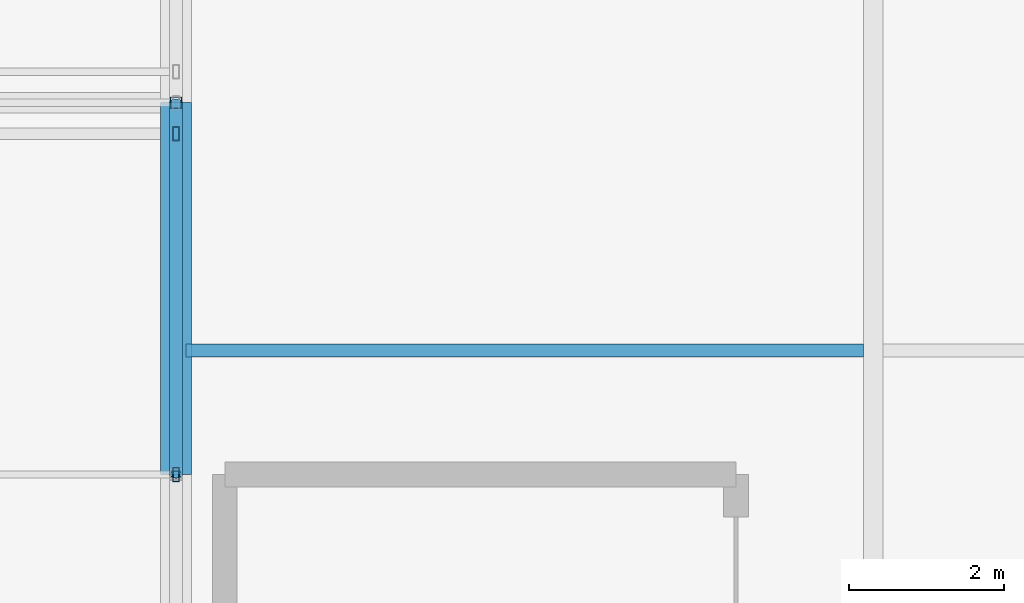
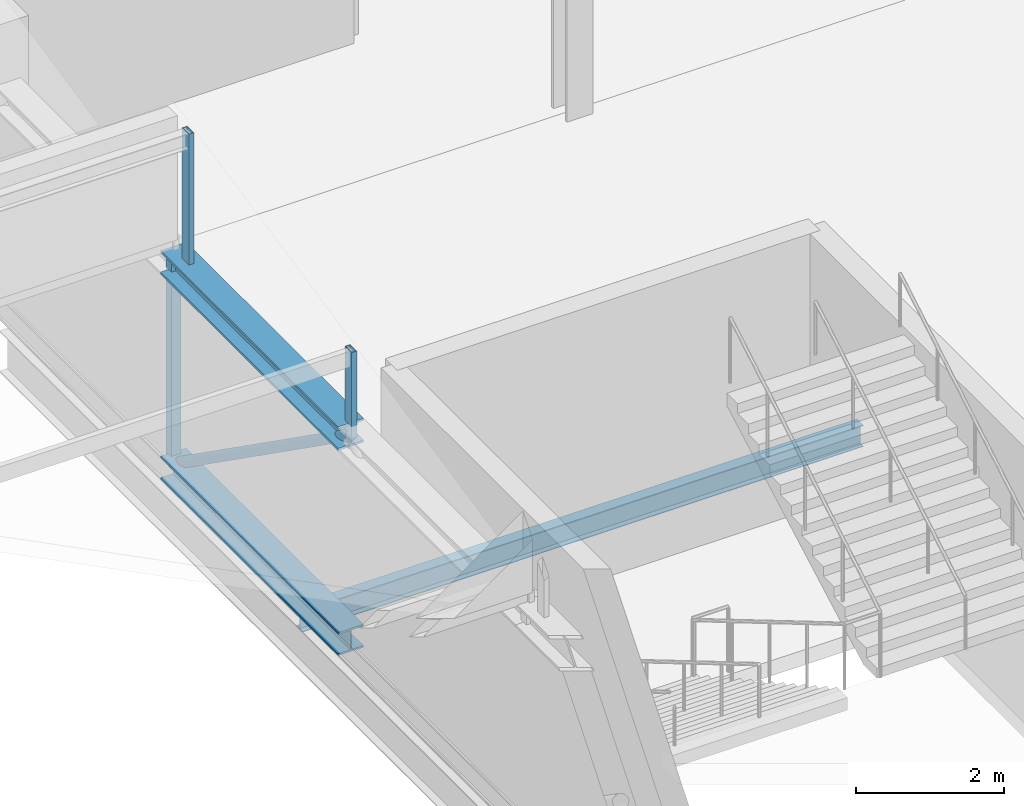
# One storey, part 67 of 136: 4 members, 3 beams.
"""IFC4 building model written with IfcOpenShell, lengths in metres."""

from ifc_helpers import new_model, si_unit, direction, frame, origin, origin_2d, place, context, subcontext, project, spatial, hollow_rectangle, hollow_circle, i_section, extrude, material, material_profile, profile_set, type_object, element, save


model = new_model("IFC4")

# Units and contexts
model_context = context("Model", 3, precision=1e-05, world=origin(), true_north=direction((0.0, 1.0)))
body_context = subcontext(model_context, "Body", "Model", "MODEL_VIEW")
ifc_project = project(units=[si_unit("LENGTHUNIT", "METRE"), si_unit("AREAUNIT", "SQUARE_METRE"), si_unit("VOLUMEUNIT", "CUBIC_METRE"), si_unit("PLANEANGLEUNIT", "RADIAN"), si_unit("MASSUNIT", "GRAM", prefix="KILO")], contexts=[model_context])

# Site, building, storey
site_placement = place(None, origin())
site = spatial("IfcSite", under=ifc_project, at=site_placement, CompositionType="ELEMENT")
building_placement = place(site_placement, origin())
building = spatial("IfcBuilding", under=site, at=building_placement, Name="Kisiwana Market Hall", CompositionType="ELEMENT")
storey_placement = place(building_placement, frame((0.0, 0.0, 16.800048828125)))
storey = spatial("IfcBuildingStorey", under=building, at=storey_placement, Name="L03", CompositionType="ELEMENT", Elevation=16.800048828125)

# Beams
ifc_material_1 = material(Name="Steel S355", Category="steel")
ifc_material_profile_1 = material_profile(ifc_material_1, i_section(OverallWidth=0.17138671875, OverallDepth=0.35498046875, WebThickness=0.00732421875, FlangeThickness=0.011474609375, at=origin_2d()), Name="UB 356x171x51")
ifc_profile_set_1 = profile_set([ifc_material_profile_1], Name="Steel S355")
beam_type_1 = type_object("IfcBeamType", Name="BM-JOIST-UB356", PredefinedType="JOIST", material=ifc_profile_set_1)
beam_1_placement = place(storey_placement, frame((153.125732421875, 52.0, -0.427490234375), z_axis=(1.0, 0.0, 0.0), x_axis=(0.0, 1.0, 0.0)))
element("IfcBeam", 1, at=beam_1_placement, inside=storey, type_object=beam_type_1, Name="Secondary floor joist B-0953", PredefinedType="JOIST", context=body_context, shape_type="SweptSolid", body=[
    extrude(i_section(OverallWidth=0.17138671875, OverallDepth=0.35498046875, WebThickness=0.00732421875, FlangeThickness=0.011474609375, at=origin_2d()), origin(), (0.0, 0.0, 1.0), 8.74853515625),
])
ifc_material_2 = material(Name="Steel S355", Category="steel")
ifc_material_profile_2 = material_profile(ifc_material_2, i_section(OverallWidth=0.394775390625, OverallDepth=0.381103515625, WebThickness=0.018310546875, FlangeThickness=0.0302734375, at=origin_2d()), Name="UC 356x406x235")
ifc_profile_set_2 = profile_set([ifc_material_profile_2], Name="Steel S355")
beam_type_2 = type_object("IfcBeamType", Name="BM-TRUSS-BOT", PredefinedType="USERDEFINED", material=ifc_profile_set_2)
beam_2_placement = place(storey_placement, frame((153.0, 50.39990234375, 0.22998046875), z_axis=(0.0, 1.0, 0.0), x_axis=(-1.0, 0.0, 0.0)))
element("IfcBeam", 2, at=beam_2_placement, inside=storey, type_object=beam_type_2, Name="TR-08 BC panel 4 B-1321", ObjectType="ROOF TRUSS", PredefinedType="USERDEFINED", context=body_context, shape_type="SweptSolid", body=[
    extrude(i_section(OverallWidth=0.394775390625, OverallDepth=0.381103515625, WebThickness=0.018310546875, FlangeThickness=0.0302734375, at=origin_2d()), origin(), (0.0, 0.0, 1.0), 4.800048828125),
])
ifc_material_3 = material(Name="Steel S355", Category="steel")
ifc_material_profile_3 = material_profile(ifc_material_3, i_section(OverallWidth=0.39892578125, OverallDepth=0.3935546875, WebThickness=0.022705078125, FlangeThickness=0.03662109375, at=origin_2d()), Name="UC 356x406x287")
ifc_profile_set_3 = profile_set([ifc_material_profile_3], Name="Steel S355")
beam_type_3 = type_object("IfcBeamType", Name="BM-TRUSS-TOP", PredefinedType="USERDEFINED", material=ifc_profile_set_3)
beam_3_placement = place(storey_placement, frame((153.0, 50.39990234375, 3.619873046875), z_axis=(0.0, 1.0, 0.0), x_axis=(-1.0, 0.0, 0.0)))
element("IfcBeam", 3, at=beam_3_placement, inside=storey, type_object=beam_type_3, Name="TR-08 TC panel 4 B-1331", ObjectType="ROOF TRUSS", PredefinedType="USERDEFINED", context=body_context, shape_type="SweptSolid", body=[
    extrude(i_section(OverallWidth=0.39892578125, OverallDepth=0.3935546875, WebThickness=0.022705078125, FlangeThickness=0.03662109375, at=origin_2d()), origin(), (0.0, 0.0, 1.0), 4.800048828125),
])

# Members
ifc_material_4 = material(Name="Steel S355", Category="steel")
ifc_material_profile_4 = material_profile(ifc_material_4, hollow_rectangle(XDim=0.080078125, YDim=0.179931640625, WallThickness=0.00634765625, at=origin_2d()), Name="RHS 180x80x6.3")
ifc_profile_set_4 = profile_set([ifc_material_profile_4], Name="Steel S355")
member_type_1 = type_object("IfcMemberType", Name="MB-CAN-STRUT", PredefinedType="STRUT", material=ifc_profile_set_4)
member_1_placement = place(storey_placement, frame((153.0, 54.800048828125, 3.619873046875), z_axis=(0.0, 0.0, 1.0), x_axis=(1.0, 0.0, 0.0)))
element("IfcMember", 4, at=member_1_placement, inside=storey, type_object=member_type_1, Name="Sawtooth raker post 220 M-0270", PredefinedType="STRUT", context=body_context, shape_type="SweptSolid", body=[
    extrude(hollow_rectangle(XDim=0.080078125, YDim=0.179931640625, WallThickness=0.00634765625, at=origin_2d()), origin(), (0.0, 0.0, 1.0), 2.355712890625),
])
member_2_placement = place(storey_placement, frame((153.0, 50.39990234375, 3.619873046875), z_axis=(0.0, 0.0, 1.0), x_axis=(1.0, 0.0, 0.0)))
element("IfcMember", 5, at=member_2_placement, inside=storey, type_object=member_type_1, Name="Sawtooth mid-slope raker post 23 M-0068", PredefinedType="STRUT", context=body_context, shape_type="SweptSolid", body=[
    extrude(hollow_rectangle(XDim=0.080078125, YDim=0.179931640625, WallThickness=0.00634765625, at=origin_2d()), origin(), (0.0, 0.0, 1.0), 1.42041015625),
])
ifc_material_5 = material(Name="Steel S355", Category="steel")
ifc_material_profile_5 = material_profile(ifc_material_5, hollow_circle(Radius=0.084228515625, WallThickness=0.010009765625, at=origin_2d()), Name="CHS 168.3x10.0")
ifc_profile_set_5 = profile_set([ifc_material_profile_5], Name="Steel S355")
member_type_2 = type_object("IfcMemberType", Name="MB-TR-DIAG168", PredefinedType="BRACE", material=ifc_profile_set_5)
member_3_placement = place(storey_placement, frame((153.0, 50.39990234375, 3.619873046875), z_axis=(0.0, 0.816837735077, -0.576867501732), x_axis=(-1.0, 0.0, 0.0)))
element("IfcMember", 6, at=member_3_placement, inside=storey, type_object=member_type_2, Name="TR-08 diagonal 4 M-0472", PredefinedType="BRACE", context=body_context, shape_type="SweptSolid", body=[
    extrude(hollow_circle(Radius=0.084228515625, WallThickness=0.010009765625, at=origin_2d()), origin(), (0.0, 0.0, 1.0), 5.87646484375),
])
ifc_material_6 = material(Name="Steel S355", Category="steel")
ifc_material_profile_6 = material_profile(ifc_material_6, hollow_rectangle(XDim=0.14990234375, YDim=0.14990234375, WallThickness=0.008056640625, at=origin_2d()), Name="SHS 150x150x8.0")
ifc_profile_set_6 = profile_set([ifc_material_profile_6], Name="Steel S355")
member_type_3 = type_object("IfcMemberType", Name="MB-TR-STRUT200", PredefinedType="STRUT", material=ifc_profile_set_6)
member_4_placement = place(storey_placement, frame((153.0, 55.199951171875, 0.22998046875), z_axis=(0.0, 0.0, 1.0), x_axis=(1.0, 0.0, 0.0)))
element("IfcMember", 7, at=member_4_placement, inside=storey, type_object=member_type_3, Name="TR-08 vertical strut 5 M-0482", PredefinedType="STRUT", context=body_context, shape_type="SweptSolid", body=[
    extrude(hollow_rectangle(XDim=0.14990234375, YDim=0.14990234375, WallThickness=0.008056640625, at=origin_2d()), origin(), (0.0, 0.0, 1.0), 3.389892578125),
])

save(model, "model.ifc")
